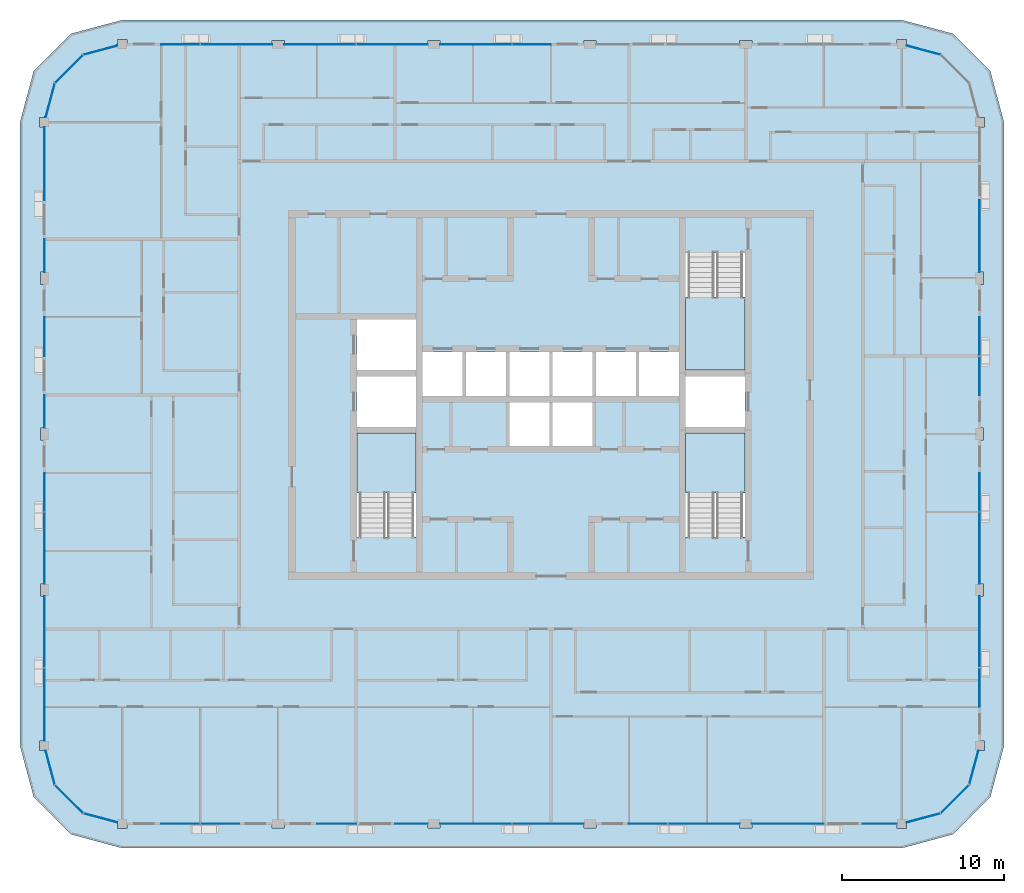
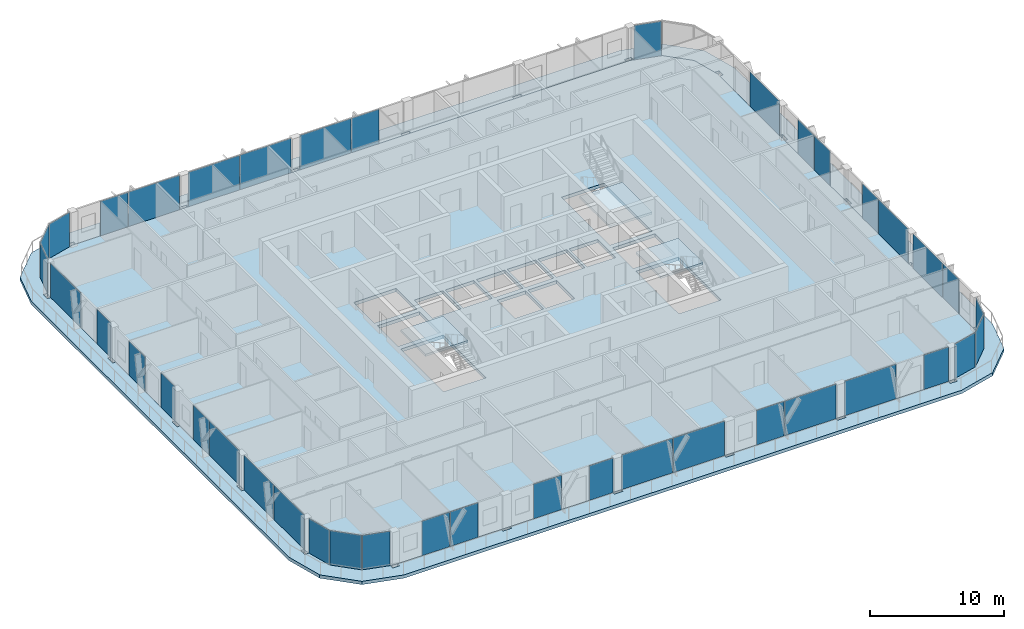
# One storey, part 7 of 21: 41 plates, 5 slabs, 23 elements without a shape of their own.
"""IFC4 building model written with IfcOpenShell, lengths in metres."""

from ifc_helpers import new_model, si_unit, direction, frame, origin, origin_2d, place, context, subcontext, project, spatial, polyline, rectangle, outline, extrude, material, layer, layer_set, type_object, element, aggregate, save


model = new_model("IFC4")

# Units and contexts
model_context = context("Model", 3, precision=1e-05, world=origin(), true_north=direction((0.0, 1.0)))
body_context = subcontext(model_context, "Body", "Model", "MODEL_VIEW")
ifc_project = project(units=[si_unit("LENGTHUNIT", "METRE"), si_unit("AREAUNIT", "SQUARE_METRE"), si_unit("VOLUMEUNIT", "CUBIC_METRE"), si_unit("PLANEANGLEUNIT", "RADIAN"), si_unit("MASSUNIT", "GRAM", prefix="KILO")], contexts=[model_context])

# Site, building, storey
site_placement = place(None, origin())
site = spatial("IfcSite", under=ifc_project, at=site_placement, CompositionType="ELEMENT")
building_placement = place(site_placement, origin())
building = spatial("IfcBuilding", under=site, at=building_placement, Name="Madar Terraces", CompositionType="ELEMENT")
storey_placement = place(building_placement, frame((0.0, 0.0, 268.60009765625)))
storey = spatial("IfcBuildingStorey", under=building, at=storey_placement, Name="L70", CompositionType="ELEMENT", Elevation=268.60009765625)

# Slabs
ifc_material_1 = material(Name="Concrete C50/60", Category="concrete")
ifc_layer_1 = layer(ifc_material_1, 0.300048828125)
ifc_layer_set_1 = layer_set([ifc_layer_1], Name="Balcony band 300")
slab_type_1 = type_object("IfcSlabType", Name="Balcony band 300", PredefinedType="FLOOR", material=ifc_layer_set_1)
slab_1_placement = place(storey_placement, frame((0.0, 0.0, -0.300048828125)))
element("IfcSlab", 1, at=slab_1_placement, inside=storey, type_object=slab_type_1, Name="Balcony band", PredefinedType="FLOOR", context=body_context, shape_type="SweptSolid", body=[
    extrude(outline(polyline([(4.800048828125, -1.5), (1.64990234375, -0.656005859375), (-0.656005859375, 1.64990234375), (-1.5, 4.800048828125), (-1.5, 43.199951171875), (-0.656005859375, 46.35009765625), (1.64990234375, 48.656005859375), (4.800048828125, 49.5), (52.800048828125, 49.5), (55.949951171875, 48.656005859375), (58.256103515625, 46.35009765625), (59.10009765625, 43.199951171875), (59.10009765625, 4.800048828125), (58.256103515625, 1.64990234375), (55.949951171875, -0.656005859375), (52.800048828125, -1.5), (4.800048828125, -1.5)]), holes=[polyline([(5.10009765625, -0.300048828125), (5.10009765625, 0.0), (14.02490234375, 0.0), (14.02490234375, -0.25), (14.77490234375, -0.25), (14.77490234375, 0.0), (23.625, 0.0), (23.625, -0.25), (24.375, -0.25), (24.375, 0.0), (33.22509765625, 0.0), (33.22509765625, -0.25), (33.97509765625, -0.25), (33.97509765625, 0.0), (42.824951171875, 0.0), (42.824951171875, -0.25), (43.574951171875, -0.25), (43.574951171875, 0.0), (52.5, 0.0), (52.5, -0.300048828125), (53.10009765625, -0.300048828125), (53.10009765625, 0.080322265625), (55.199951171875, 0.64306640625), (56.956787109375, 2.39990234375), (57.51953125, 4.5), (57.89990234375, 4.5), (57.89990234375, 5.10009765625), (57.60009765625, 5.10009765625), (57.60009765625, 14.02490234375), (57.85009765625, 14.02490234375), (57.85009765625, 14.77490234375), (57.60009765625, 14.77490234375), (57.60009765625, 23.625), (57.85009765625, 23.625), (57.85009765625, 24.375), (57.60009765625, 24.375), (57.60009765625, 33.22509765625), (57.85009765625, 33.22509765625), (57.85009765625, 33.97509765625), (57.60009765625, 33.97509765625), (57.60009765625, 42.89990234375), (57.89990234375, 42.89990234375), (57.89990234375, 43.5), (57.51953125, 43.5), (56.956787109375, 45.60009765625), (55.199951171875, 47.35693359375), (53.10009765625, 47.919677734375), (53.10009765625, 48.300048828125), (52.5, 48.300048828125), (52.5, 48.0), (43.574951171875, 48.0), (43.574951171875, 48.25), (42.824951171875, 48.25), (42.824951171875, 48.0), (33.97509765625, 48.0), (33.97509765625, 48.25), (33.22509765625, 48.25), (33.22509765625, 48.0), (24.375, 48.0), (24.375, 48.25), (23.625, 48.25), (23.625, 48.0), (14.77490234375, 48.0), (14.77490234375, 48.25), (14.02490234375, 48.25), (14.02490234375, 48.0), (5.10009765625, 48.0), (5.10009765625, 48.300048828125), (4.5, 48.300048828125), (4.5, 47.919677734375), (2.39990234375, 47.35693359375), (0.64306640625, 45.60009765625), (0.080322265625, 43.5), (-0.300048828125, 43.5), (-0.300048828125, 42.89990234375), (0.0, 42.89990234375), (0.0, 33.97509765625), (-0.25, 33.97509765625), (-0.25, 33.22509765625), (0.0, 33.22509765625), (0.0, 24.375), (-0.25, 24.375), (-0.25, 23.625), (0.0, 23.625), (0.0, 14.77490234375), (-0.25, 14.77490234375), (-0.25, 14.02490234375), (0.0, 14.02490234375), (0.0, 5.10009765625), (-0.300048828125, 5.10009765625), (-0.300048828125, 4.5), (0.080322265625, 4.5), (0.64306640625, 2.39990234375), (2.39990234375, 0.64306640625), (4.5, 0.080322265625), (4.5, -0.300048828125), (5.10009765625, -0.300048828125)])]), origin(), (0.0, 0.0, 1.0), 0.300048828125),
])
ifc_material_2 = material(Name="Concrete C50/60", Category="concrete")
ifc_layer_2 = layer(ifc_material_2, 0.300048828125)
ifc_layer_set_2 = layer_set([ifc_layer_2], Name="FS2 PT flat slab 300")
slab_type_2 = type_object("IfcSlabType", Name="FS2 PT flat slab 300", PredefinedType="FLOOR", material=ifc_layer_set_2)
slab_2_placement = place(storey_placement, frame((0.0, 0.0, -0.300048828125)))
element("IfcSlab", 2, at=slab_2_placement, inside=storey, type_object=slab_type_2, Name="Floor slab L70 (1)", PredefinedType="FLOOR", context=body_context, shape_type="SweptSolid", body=[
    extrude(outline(polyline([(52.800048828125, 0.0), (55.199951171875, 0.64306640625), (56.95703125, 2.39990234375), (57.60009765625, 4.800048828125), (57.60009765625, 43.199951171875), (56.95703125, 45.60009765625), (55.199951171875, 47.35693359375), (52.800048828125, 48.0), (4.800048828125, 48.0), (2.39990234375, 47.35693359375), (0.64306640625, 45.60009765625), (0.0, 43.199951171875), (0.0, 4.800048828125), (0.64306640625, 2.39990234375), (2.39990234375, 0.64306640625), (4.800048828125, 0.0), (52.800048828125, 0.0)]), holes=[polyline([(22.89990234375, 17.64990234375), (19.25, 17.64990234375), (19.25, 24.050048828125), (22.89990234375, 24.050048828125), (22.89990234375, 17.64990234375)]), polyline([(28.63330078125, 23.25), (28.63330078125, 25.949951171875), (31.10009765625, 25.949951171875), (31.10009765625, 23.25), (28.63330078125, 23.25)]), polyline([(19.25, 24.449951171875), (19.25, 27.550048828125), (22.89990234375, 27.550048828125), (22.89990234375, 24.449951171875), (19.25, 24.449951171875)]), polyline([(23.300048828125, 26.35009765625), (23.300048828125, 29.050048828125), (25.7666015625, 29.050048828125), (25.7666015625, 26.35009765625), (23.300048828125, 26.35009765625)]), polyline([(25.966552734375, 26.35009765625), (25.966552734375, 29.050048828125), (28.433349609375, 29.050048828125), (28.433349609375, 26.35009765625), (25.966552734375, 26.35009765625)]), polyline([(28.63330078125, 26.35009765625), (28.63330078125, 29.050048828125), (31.10009765625, 29.050048828125), (31.10009765625, 26.35009765625), (28.63330078125, 26.35009765625)]), polyline([(19.25, 27.949951171875), (19.25, 31.050048828125), (22.89990234375, 31.050048828125), (22.89990234375, 27.949951171875), (19.25, 27.949951171875)]), polyline([(43.14990234375, 17.64990234375), (39.5, 17.64990234375), (39.5, 24.050048828125), (43.14990234375, 24.050048828125), (43.14990234375, 17.64990234375)]), polyline([(31.300048828125, 23.25), (31.300048828125, 25.949951171875), (33.7666015625, 25.949951171875), (33.7666015625, 23.25), (31.300048828125, 23.25)]), polyline([(39.5, 24.449951171875), (39.5, 27.550048828125), (43.14990234375, 27.550048828125), (43.14990234375, 24.449951171875), (39.5, 24.449951171875)]), polyline([(31.300048828125, 26.35009765625), (31.300048828125, 29.050048828125), (33.7666015625, 29.050048828125), (33.7666015625, 26.35009765625), (31.300048828125, 26.35009765625)]), polyline([(33.966552734375, 26.35009765625), (33.966552734375, 29.050048828125), (36.433349609375, 29.050048828125), (36.433349609375, 26.35009765625), (33.966552734375, 26.35009765625)]), polyline([(36.63330078125, 26.35009765625), (36.63330078125, 29.050048828125), (39.10009765625, 29.050048828125), (39.10009765625, 26.35009765625), (36.63330078125, 26.35009765625)]), polyline([(39.5, 27.949951171875), (39.5, 35.14990234375), (43.14990234375, 35.14990234375), (43.14990234375, 27.949951171875), (39.5, 27.949951171875)])]), origin(), (0.0, 0.0, 1.0), 0.300048828125),
])

# Curtain wall, plates
ifc_material_3 = material(Name="Glass, ceramic frit dark grey, with black aluminium frame", Category="aluminium")
ifc_layer_3 = layer(ifc_material_3, 0.199951171875)
ifc_layer_set_3 = layer_set([ifc_layer_3], Name="Facade curtain wall, fritted glass")
curtain_wall_type = type_object("IfcCurtainWallType", Name="Facade curtain wall, fritted glass", PredefinedType="NOTDEFINED", material=ifc_layer_set_3)
curtain_wall_1_placement = place(storey_placement, origin())
curtain_wall_1 = element("IfcCurtainWall", 3, at=curtain_wall_1_placement, inside=storey, type_object=curtain_wall_type, Name="Outer skin curtain wall south bay 1", PredefinedType="NOTDEFINED")
ifc_material_4 = material(Name="Glass, ceramic frit dark grey", Category="glass")
ifc_layer_4 = layer(ifc_material_4, 0.028076171875)
ifc_layer_set_4 = layer_set([ifc_layer_4], Name="Facade glass panel 28")
plate_type = type_object("IfcPlateType", Name="Facade glass panel 28", PredefinedType="CURTAIN_PANEL", material=ifc_layer_set_4)
plate_1_placement = place(storey_placement, frame((8.385009765625, 0.0, 0.0), z_axis=(0.0, 0.0, 1.0), x_axis=(1.0, 0.0, 0.0)))
plate_1 = element("IfcPlate", 4, at=plate_1_placement, type_object=plate_type, Name="Panel 1", PredefinedType="CURTAIN_PANEL", context=body_context, shape_type="SweptSolid", body=[
    extrude(rectangle(XDim=2.3701171875, YDim=0.028076171875, at=origin_2d()), origin(), (0.0, 0.0, 1.0), 3.139892578125),
])
plate_2_placement = place(storey_placement, frame((10.81494140625, 0.0, 0.0), z_axis=(0.0, 0.0, 1.0), x_axis=(1.0, 0.0, 0.0)))
plate_2 = element("IfcPlate", 5, at=plate_2_placement, type_object=plate_type, Name="Panel 2", PredefinedType="CURTAIN_PANEL", context=body_context, shape_type="SweptSolid", body=[
    extrude(rectangle(XDim=2.3701171875, YDim=0.028076171875, at=origin_2d()), origin(), (0.0, 0.0, 1.0), 3.139892578125),
])
aggregate(curtain_wall_1, [plate_1, plate_2])

curtain_wall_2_placement = place(storey_placement, origin())
curtain_wall_2 = element("IfcCurtainWall", 6, at=curtain_wall_2_placement, inside=storey, type_object=curtain_wall_type, Name="Outer skin curtain wall south bay 2", PredefinedType="NOTDEFINED")
plate_3_placement = place(storey_placement, frame((18.0, 0.0, 0.0), z_axis=(0.0, 0.0, 1.0), x_axis=(1.0, 0.0, 0.0)))
plate_3 = element("IfcPlate", 7, at=plate_3_placement, type_object=plate_type, Name="Panel 1", PredefinedType="CURTAIN_PANEL", context=body_context, shape_type="SweptSolid", body=[
    extrude(rectangle(XDim=2.39990234375, YDim=0.028076171875, at=origin_2d()), origin(), (0.0, 0.0, 1.0), 3.139892578125),
])
plate_4_placement = place(storey_placement, frame((22.612548828125, 0.0, 0.0), z_axis=(0.0, 0.0, 1.0), x_axis=(1.0, 0.0, 0.0)))
plate_4 = element("IfcPlate", 8, at=plate_4_placement, type_object=plate_type, Name="Panel 2", PredefinedType="CURTAIN_PANEL", context=body_context, shape_type="SweptSolid", body=[
    extrude(rectangle(XDim=2.02490234375, YDim=0.028076171875, at=origin_2d()), origin(), (0.0, 0.0, 1.0), 3.139892578125),
])
aggregate(curtain_wall_2, [plate_3, plate_4])

curtain_wall_3_placement = place(storey_placement, origin())
curtain_wall_3 = element("IfcCurtainWall", 9, at=curtain_wall_3_placement, inside=storey, type_object=curtain_wall_type, Name="Outer skin curtain wall south bay 3", PredefinedType="NOTDEFINED")
plate_5_placement = place(storey_placement, frame((26.572509765625, 0.0, 0.0), z_axis=(0.0, 0.0, 1.0), x_axis=(1.0, 0.0, 0.0)))
plate_5 = element("IfcPlate", 10, at=plate_5_placement, type_object=plate_type, Name="Panel 1", PredefinedType="CURTAIN_PANEL", context=body_context, shape_type="SweptSolid", body=[
    extrude(rectangle(XDim=4.39501953125, YDim=0.028076171875, at=origin_2d()), origin(), (0.0, 0.0, 1.0), 3.139892578125),
])
plate_6_placement = place(storey_placement, frame((31.027587890625, 0.0, 0.0), z_axis=(0.0, 0.0, 1.0), x_axis=(1.0, 0.0, 0.0)))
plate_6 = element("IfcPlate", 11, at=plate_6_placement, type_object=plate_type, Name="Panel 2", PredefinedType="CURTAIN_PANEL", context=body_context, shape_type="SweptSolid", body=[
    extrude(rectangle(XDim=4.39501953125, YDim=0.028076171875, at=origin_2d()), origin(), (0.0, 0.0, 1.0), 3.139892578125),
])
aggregate(curtain_wall_3, [plate_5, plate_6])

curtain_wall_4_placement = place(storey_placement, origin())
curtain_wall_4 = element("IfcCurtainWall", 12, at=curtain_wall_4_placement, inside=storey, type_object=curtain_wall_type, Name="Outer skin curtain wall south bay 4", PredefinedType="NOTDEFINED")
plate_7_placement = place(storey_placement, frame((37.18505859375, 0.0, 0.0), z_axis=(0.0, 0.0, 1.0), x_axis=(1.0, 0.0, 0.0)))
plate_7 = element("IfcPlate", 13, at=plate_7_placement, type_object=plate_type, Name="Panel 1", PredefinedType="CURTAIN_PANEL", context=body_context, shape_type="SweptSolid", body=[
    extrude(rectangle(XDim=2.3701171875, YDim=0.028076171875, at=origin_2d()), origin(), (0.0, 0.0, 1.0), 3.139892578125),
])
plate_8_placement = place(storey_placement, frame((40.62744140625, 0.0, 0.0), z_axis=(0.0, 0.0, 1.0), x_axis=(1.0, 0.0, 0.0)))
plate_8 = element("IfcPlate", 14, at=plate_8_placement, type_object=plate_type, Name="Panel 2", PredefinedType="CURTAIN_PANEL", context=body_context, shape_type="SweptSolid", body=[
    extrude(rectangle(XDim=4.39501953125, YDim=0.028076171875, at=origin_2d()), origin(), (0.0, 0.0, 1.0), 3.139892578125),
])
aggregate(curtain_wall_4, [plate_7, plate_8])

curtain_wall_5_placement = place(storey_placement, origin())
curtain_wall_5 = element("IfcCurtainWall", 15, at=curtain_wall_5_placement, inside=storey, type_object=curtain_wall_type, Name="Outer skin curtain wall south bay 5", PredefinedType="NOTDEFINED")
plate_9_placement = place(storey_placement, frame((45.78759765625, 0.0, 0.0), z_axis=(0.0, 0.0, 1.0), x_axis=(1.0, 0.0, 0.0)))
plate_9 = element("IfcPlate", 16, at=plate_9_placement, type_object=plate_type, Name="Panel 1", PredefinedType="CURTAIN_PANEL", context=body_context, shape_type="SweptSolid", body=[
    extrude(rectangle(XDim=4.425048828125, YDim=0.028076171875, at=origin_2d()), origin(), (0.0, 0.0, 1.0), 3.139892578125),
])
plate_10_placement = place(storey_placement, frame((51.449951171875, 0.0, 0.0), z_axis=(0.0, 0.0, 1.0), x_axis=(1.0, 0.0, 0.0)))
plate_10 = element("IfcPlate", 17, at=plate_10_placement, type_object=plate_type, Name="Panel 2", PredefinedType="CURTAIN_PANEL", context=body_context, shape_type="SweptSolid", body=[
    extrude(rectangle(XDim=2.10009765625, YDim=0.028076171875, at=origin_2d()), origin(), (0.0, 0.0, 1.0), 3.139892578125),
])
aggregate(curtain_wall_5, [plate_9, plate_10])

curtain_wall_6_placement = place(storey_placement, origin())
curtain_wall_6 = element("IfcCurtainWall", 18, at=curtain_wall_6_placement, inside=storey, type_object=curtain_wall_type, Name="Outer skin curtain wall east bay 1", PredefinedType="NOTDEFINED")
plate_11_placement = place(storey_placement, frame((57.60009765625, 8.385009765625, 0.0), z_axis=(0.0, 0.0, 1.0), x_axis=(0.0, 1.0, 0.0)))
plate_11 = element("IfcPlate", 19, at=plate_11_placement, type_object=plate_type, Name="Panel 1", PredefinedType="CURTAIN_PANEL", context=body_context, shape_type="SweptSolid", body=[
    extrude(rectangle(XDim=2.3701171875, YDim=0.028076171875, at=origin_2d()), origin(), (0.0, 0.0, 1.0), 3.139892578125),
])
plate_12_placement = place(storey_placement, frame((57.60009765625, 11.827392578125, 0.0), z_axis=(0.0, 0.0, 1.0), x_axis=(0.0, 1.0, 0.0)))
plate_12 = element("IfcPlate", 20, at=plate_12_placement, type_object=plate_type, Name="Panel 2", PredefinedType="CURTAIN_PANEL", context=body_context, shape_type="SweptSolid", body=[
    extrude(rectangle(XDim=4.39501953125, YDim=0.028076171875, at=origin_2d()), origin(), (0.0, 0.0, 1.0), 3.139892578125),
])
aggregate(curtain_wall_6, [plate_11, plate_12])

curtain_wall_7_placement = place(storey_placement, origin())
curtain_wall_7 = element("IfcCurtainWall", 21, at=curtain_wall_7_placement, inside=storey, type_object=curtain_wall_type, Name="Outer skin curtain wall east bay 2", PredefinedType="NOTDEFINED")
plate_13_placement = place(storey_placement, frame((57.60009765625, 16.972412109375, 0.0), z_axis=(0.0, 0.0, 1.0), x_axis=(0.0, 1.0, 0.0)))
plate_13 = element("IfcPlate", 22, at=plate_13_placement, type_object=plate_type, Name="Panel 1", PredefinedType="CURTAIN_PANEL", context=body_context, shape_type="SweptSolid", body=[
    extrude(rectangle(XDim=4.39501953125, YDim=0.028076171875, at=origin_2d()), origin(), (0.0, 0.0, 1.0), 3.139892578125),
])
plate_14_placement = place(storey_placement, frame((57.60009765625, 20.4150390625, 0.0), z_axis=(0.0, 0.0, 1.0), x_axis=(0.0, 1.0, 0.0)))
plate_14 = element("IfcPlate", 23, at=plate_14_placement, type_object=plate_type, Name="Panel 2", PredefinedType="CURTAIN_PANEL", context=body_context, shape_type="SweptSolid", body=[
    extrude(rectangle(XDim=2.3701171875, YDim=0.028076171875, at=origin_2d()), origin(), (0.0, 0.0, 1.0), 3.139892578125),
])
aggregate(curtain_wall_7, [plate_13, plate_14])

curtain_wall_8_placement = place(storey_placement, origin())
curtain_wall_8 = element("IfcCurtainWall", 24, at=curtain_wall_8_placement, inside=storey, type_object=curtain_wall_type, Name="Outer skin curtain wall east bay 3", PredefinedType="NOTDEFINED")
plate_15_placement = place(storey_placement, frame((57.60009765625, 27.5849609375, 0.0), z_axis=(0.0, 0.0, 1.0), x_axis=(0.0, 1.0, 0.0)))
plate_15 = element("IfcPlate", 25, at=plate_15_placement, type_object=plate_type, Name="Panel 1", PredefinedType="CURTAIN_PANEL", context=body_context, shape_type="SweptSolid", body=[
    extrude(rectangle(XDim=2.3701171875, YDim=0.028076171875, at=origin_2d()), origin(), (0.0, 0.0, 1.0), 3.139892578125),
])
plate_16_placement = place(storey_placement, frame((57.60009765625, 30.014892578125, 0.0), z_axis=(0.0, 0.0, 1.0), x_axis=(0.0, 1.0, 0.0)))
plate_16 = element("IfcPlate", 26, at=plate_16_placement, type_object=plate_type, Name="Panel 2", PredefinedType="CURTAIN_PANEL", context=body_context, shape_type="SweptSolid", body=[
    extrude(rectangle(XDim=2.3701171875, YDim=0.028076171875, at=origin_2d()), origin(), (0.0, 0.0, 1.0), 3.139892578125),
])
aggregate(curtain_wall_8, [plate_15, plate_16])

# Curtain wall, plate
curtain_wall_9_placement = place(storey_placement, origin())
curtain_wall_9 = element("IfcCurtainWall", 27, at=curtain_wall_9_placement, inside=storey, type_object=curtain_wall_type, Name="Outer skin curtain wall east bay 4", PredefinedType="NOTDEFINED")
plate_17_placement = place(storey_placement, frame((57.60009765625, 36.1875, 0.0), z_axis=(0.0, 0.0, 1.0), x_axis=(0.0, 1.0, 0.0)))
plate_17 = element("IfcPlate", 28, at=plate_17_placement, type_object=plate_type, Name="Panel 1", PredefinedType="CURTAIN_PANEL", context=body_context, shape_type="SweptSolid", body=[
    extrude(rectangle(XDim=4.425048828125, YDim=0.028076171875, at=origin_2d()), origin(), (0.0, 0.0, 1.0), 3.139892578125),
])
aggregate(curtain_wall_9, [plate_17])

# Curtain wall, plates
curtain_wall_10_placement = place(storey_placement, origin())
curtain_wall_10 = element("IfcCurtainWall", 29, at=curtain_wall_10_placement, inside=storey, type_object=curtain_wall_type, Name="Outer skin curtain wall north bay 3", PredefinedType="NOTDEFINED")
plate_18_placement = place(storey_placement, frame((30.014892578125, 48.0, 0.0), z_axis=(0.0, 0.0, 1.0), x_axis=(-1.0, 0.0, 0.0)))
plate_18 = element("IfcPlate", 30, at=plate_18_placement, type_object=plate_type, Name="Panel 1", PredefinedType="CURTAIN_PANEL", context=body_context, shape_type="SweptSolid", body=[
    extrude(rectangle(XDim=2.3701171875, YDim=0.028076171875, at=origin_2d()), origin(), (0.0, 0.0, 1.0), 3.139892578125),
])
plate_19_placement = place(storey_placement, frame((26.572509765625, 48.0, 0.0), z_axis=(0.0, 0.0, 1.0), x_axis=(-1.0, 0.0, 0.0)))
plate_19 = element("IfcPlate", 31, at=plate_19_placement, type_object=plate_type, Name="Panel 2", PredefinedType="CURTAIN_PANEL", context=body_context, shape_type="SweptSolid", body=[
    extrude(rectangle(XDim=4.39501953125, YDim=0.028076171875, at=origin_2d()), origin(), (0.0, 0.0, 1.0), 3.139892578125),
])
aggregate(curtain_wall_10, [plate_18, plate_19])

curtain_wall_11_placement = place(storey_placement, origin())
curtain_wall_11 = element("IfcCurtainWall", 32, at=curtain_wall_11_placement, inside=storey, type_object=curtain_wall_type, Name="Outer skin curtain wall north bay 4", PredefinedType="NOTDEFINED")
plate_20_placement = place(storey_placement, frame((21.427490234375, 48.0, 0.0), z_axis=(0.0, 0.0, 1.0), x_axis=(-1.0, 0.0, 0.0)))
plate_20 = element("IfcPlate", 33, at=plate_20_placement, type_object=plate_type, Name="Panel 1", PredefinedType="CURTAIN_PANEL", context=body_context, shape_type="SweptSolid", body=[
    extrude(rectangle(XDim=4.39501953125, YDim=0.028076171875, at=origin_2d()), origin(), (0.0, 0.0, 1.0), 3.139892578125),
])
plate_21_placement = place(storey_placement, frame((16.972412109375, 48.0, 0.0), z_axis=(0.0, 0.0, 1.0), x_axis=(-1.0, 0.0, 0.0)))
plate_21 = element("IfcPlate", 34, at=plate_21_placement, type_object=plate_type, Name="Panel 2", PredefinedType="CURTAIN_PANEL", context=body_context, shape_type="SweptSolid", body=[
    extrude(rectangle(XDim=4.39501953125, YDim=0.028076171875, at=origin_2d()), origin(), (0.0, 0.0, 1.0), 3.139892578125),
])
aggregate(curtain_wall_11, [plate_20, plate_21])

curtain_wall_12_placement = place(storey_placement, origin())
curtain_wall_12 = element("IfcCurtainWall", 35, at=curtain_wall_12_placement, inside=storey, type_object=curtain_wall_type, Name="Outer skin curtain wall north bay 5", PredefinedType="NOTDEFINED")
plate_22_placement = place(storey_placement, frame((11.827392578125, 48.0, 0.0), z_axis=(0.0, 0.0, 1.0), x_axis=(-1.0, 0.0, 0.0)))
plate_22 = element("IfcPlate", 36, at=plate_22_placement, type_object=plate_type, Name="Panel 1", PredefinedType="CURTAIN_PANEL", context=body_context, shape_type="SweptSolid", body=[
    extrude(rectangle(XDim=4.39501953125, YDim=0.028076171875, at=origin_2d()), origin(), (0.0, 0.0, 1.0), 3.139892578125),
])
plate_23_placement = place(storey_placement, frame((8.385009765625, 48.0, 0.0), z_axis=(0.0, 0.0, 1.0), x_axis=(-1.0, 0.0, 0.0)))
plate_23 = element("IfcPlate", 37, at=plate_23_placement, type_object=plate_type, Name="Panel 2", PredefinedType="CURTAIN_PANEL", context=body_context, shape_type="SweptSolid", body=[
    extrude(rectangle(XDim=2.3701171875, YDim=0.028076171875, at=origin_2d()), origin(), (0.0, 0.0, 1.0), 3.139892578125),
])
aggregate(curtain_wall_12, [plate_22, plate_23])

curtain_wall_13_placement = place(storey_placement, origin())
curtain_wall_13 = element("IfcCurtainWall", 38, at=curtain_wall_13_placement, inside=storey, type_object=curtain_wall_type, Name="Outer skin curtain wall west bay 1", PredefinedType="NOTDEFINED")
plate_24_placement = place(storey_placement, frame((0.0, 40.64990234375, 0.0), z_axis=(0.0, 0.0, 1.0), x_axis=(0.0, -1.0, 0.0)))
plate_24 = element("IfcPlate", 39, at=plate_24_placement, type_object=plate_type, Name="Panel 1", PredefinedType="CURTAIN_PANEL", context=body_context, shape_type="SweptSolid", body=[
    extrude(rectangle(XDim=4.5, YDim=0.028076171875, at=origin_2d()), origin(), (0.0, 0.0, 1.0), 3.139892578125),
])
plate_25_placement = place(storey_placement, frame((0.0, 34.987548828125, 0.0), z_axis=(0.0, 0.0, 1.0), x_axis=(0.0, -1.0, 0.0)))
plate_25 = element("IfcPlate", 40, at=plate_25_placement, type_object=plate_type, Name="Panel 2", PredefinedType="CURTAIN_PANEL", context=body_context, shape_type="SweptSolid", body=[
    extrude(rectangle(XDim=2.02490234375, YDim=0.028076171875, at=origin_2d()), origin(), (0.0, 0.0, 1.0), 3.139892578125),
])
aggregate(curtain_wall_13, [plate_24, plate_25])

curtain_wall_14_placement = place(storey_placement, origin())
curtain_wall_14 = element("IfcCurtainWall", 41, at=curtain_wall_14_placement, inside=storey, type_object=curtain_wall_type, Name="Outer skin curtain wall west bay 2", PredefinedType="NOTDEFINED")
plate_26_placement = place(storey_placement, frame((0.0, 30.0, 0.0), z_axis=(0.0, 0.0, 1.0), x_axis=(0.0, -1.0, 0.0)))
plate_26 = element("IfcPlate", 42, at=plate_26_placement, type_object=plate_type, Name="Panel 1", PredefinedType="CURTAIN_PANEL", context=body_context, shape_type="SweptSolid", body=[
    extrude(rectangle(XDim=2.39990234375, YDim=0.028076171875, at=origin_2d()), origin(), (0.0, 0.0, 1.0), 3.139892578125),
])
plate_27_placement = place(storey_placement, frame((0.0, 25.387451171875, 0.0), z_axis=(0.0, 0.0, 1.0), x_axis=(0.0, -1.0, 0.0)))
plate_27 = element("IfcPlate", 43, at=plate_27_placement, type_object=plate_type, Name="Panel 2", PredefinedType="CURTAIN_PANEL", context=body_context, shape_type="SweptSolid", body=[
    extrude(rectangle(XDim=2.02490234375, YDim=0.028076171875, at=origin_2d()), origin(), (0.0, 0.0, 1.0), 3.139892578125),
])
aggregate(curtain_wall_14, [plate_26, plate_27])

curtain_wall_15_placement = place(storey_placement, origin())
curtain_wall_15 = element("IfcCurtainWall", 44, at=curtain_wall_15_placement, inside=storey, type_object=curtain_wall_type, Name="Outer skin curtain wall west bay 3", PredefinedType="NOTDEFINED")
plate_28_placement = place(storey_placement, frame((0.0, 20.4150390625, 0.0), z_axis=(0.0, 0.0, 1.0), x_axis=(0.0, -1.0, 0.0)))
plate_28 = element("IfcPlate", 45, at=plate_28_placement, type_object=plate_type, Name="Panel 1", PredefinedType="CURTAIN_PANEL", context=body_context, shape_type="SweptSolid", body=[
    extrude(rectangle(XDim=2.3701171875, YDim=0.028076171875, at=origin_2d()), origin(), (0.0, 0.0, 1.0), 3.139892578125),
])
plate_29_placement = place(storey_placement, frame((0.0, 16.972412109375, 0.0), z_axis=(0.0, 0.0, 1.0), x_axis=(0.0, -1.0, 0.0)))
plate_29 = element("IfcPlate", 46, at=plate_29_placement, type_object=plate_type, Name="Panel 2", PredefinedType="CURTAIN_PANEL", context=body_context, shape_type="SweptSolid", body=[
    extrude(rectangle(XDim=4.39501953125, YDim=0.028076171875, at=origin_2d()), origin(), (0.0, 0.0, 1.0), 3.139892578125),
])
aggregate(curtain_wall_15, [plate_28, plate_29])

curtain_wall_16_placement = place(storey_placement, origin())
curtain_wall_16 = element("IfcCurtainWall", 47, at=curtain_wall_16_placement, inside=storey, type_object=curtain_wall_type, Name="Outer skin curtain wall west bay 4", PredefinedType="NOTDEFINED")
plate_30_placement = place(storey_placement, frame((0.0, 11.827392578125, 0.0), z_axis=(0.0, 0.0, 1.0), x_axis=(0.0, -1.0, 0.0)))
plate_30 = element("IfcPlate", 48, at=plate_30_placement, type_object=plate_type, Name="Panel 1", PredefinedType="CURTAIN_PANEL", context=body_context, shape_type="SweptSolid", body=[
    extrude(rectangle(XDim=4.39501953125, YDim=0.028076171875, at=origin_2d()), origin(), (0.0, 0.0, 1.0), 3.139892578125),
])
plate_31_placement = place(storey_placement, frame((0.0, 7.3349609375, 0.0), z_axis=(0.0, 0.0, 1.0), x_axis=(0.0, -1.0, 0.0)))
plate_31 = element("IfcPlate", 49, at=plate_31_placement, type_object=plate_type, Name="Panel 2", PredefinedType="CURTAIN_PANEL", context=body_context, shape_type="SweptSolid", body=[
    extrude(rectangle(XDim=4.469970703125, YDim=0.028076171875, at=origin_2d()), origin(), (0.0, 0.0, 1.0), 3.139892578125),
])
aggregate(curtain_wall_16, [plate_30, plate_31])

curtain_wall_17_placement = place(storey_placement, origin())
curtain_wall_17 = element("IfcCurtainWall", 50, at=curtain_wall_17_placement, inside=storey, type_object=curtain_wall_type, Name="Outer skin curtain wall south-east corner", PredefinedType="NOTDEFINED")
plate_32_placement = place(storey_placement, frame((54.135498046875, 0.35791015625, 0.0), z_axis=(0.0, 0.0, 1.0), x_axis=(0.965925832509, 0.258819021888, 0.0)))
plate_32 = element("IfcPlate", 51, at=plate_32_placement, type_object=plate_type, Name="Panel 1", PredefinedType="CURTAIN_PANEL", context=body_context, shape_type="SweptSolid", body=[
    extrude(rectangle(XDim=2.14404296875, YDim=0.028076171875, at=origin_2d()), origin(), (0.0, 0.0, 1.0), 3.139892578125),
])
plate_33_placement = place(storey_placement, frame((56.078369140625, 1.521484375, 0.0), z_axis=(0.0, 0.0, 1.0), x_axis=(0.707106781187, 0.707106781187, 0.0)))
plate_33 = element("IfcPlate", 52, at=plate_33_placement, type_object=plate_type, Name="Panel 2", PredefinedType="CURTAIN_PANEL", context=body_context, shape_type="SweptSolid", body=[
    extrude(rectangle(XDim=2.424560546875, YDim=0.028076171875, at=origin_2d()), origin(), (0.0, 0.0, 1.0), 3.139892578125),
])
plate_34_placement = place(storey_placement, frame((57.2421875, 3.464599609375, 0.0), z_axis=(0.0, 0.0, 1.0), x_axis=(0.258819021888, 0.965925832509, 0.0)))
plate_34 = element("IfcPlate", 53, at=plate_34_placement, type_object=plate_type, Name="Panel 3", PredefinedType="CURTAIN_PANEL", context=body_context, shape_type="SweptSolid", body=[
    extrude(rectangle(XDim=2.14404296875, YDim=0.028076171875, at=origin_2d()), origin(), (0.0, 0.0, 1.0), 3.139892578125),
])
aggregate(curtain_wall_17, [plate_32, plate_33, plate_34])

# Curtain wall, plate
curtain_wall_18_placement = place(storey_placement, origin())
curtain_wall_18 = element("IfcCurtainWall", 54, at=curtain_wall_18_placement, inside=storey, type_object=curtain_wall_type, Name="Outer skin curtain wall north-east corner", PredefinedType="NOTDEFINED")
plate_35_placement = place(storey_placement, frame((54.135498046875, 47.64208984375, 0.0), z_axis=(0.0, 0.0, 1.0), x_axis=(-0.965925832509, 0.258819021888, 0.0)))
plate_35 = element("IfcPlate", 55, at=plate_35_placement, type_object=plate_type, Name="Panel 3", PredefinedType="CURTAIN_PANEL", context=body_context, shape_type="SweptSolid", body=[
    extrude(rectangle(XDim=2.14404296875, YDim=0.028076171875, at=origin_2d()), origin(), (0.0, 0.0, 1.0), 3.139892578125),
])
aggregate(curtain_wall_18, [plate_35])

# Curtain wall, plates
curtain_wall_19_placement = place(storey_placement, origin())
curtain_wall_19 = element("IfcCurtainWall", 56, at=curtain_wall_19_placement, inside=storey, type_object=curtain_wall_type, Name="Outer skin curtain wall north-west corner", PredefinedType="NOTDEFINED")
plate_36_placement = place(storey_placement, frame((3.464599609375, 47.64208984375, 0.0), z_axis=(0.0, 0.0, 1.0), x_axis=(-0.965925832509, -0.258819021888, 0.0)))
plate_36 = element("IfcPlate", 57, at=plate_36_placement, type_object=plate_type, Name="Panel 1", PredefinedType="CURTAIN_PANEL", context=body_context, shape_type="SweptSolid", body=[
    extrude(rectangle(XDim=2.14404296875, YDim=0.028076171875, at=origin_2d()), origin(), (0.0, 0.0, 1.0), 3.139892578125),
])
plate_37_placement = place(storey_placement, frame((1.521484375, 46.478515625, 0.0), z_axis=(0.0, 0.0, 1.0), x_axis=(-0.707106781187, -0.707106781187, 0.0)))
plate_37 = element("IfcPlate", 58, at=plate_37_placement, type_object=plate_type, Name="Panel 2", PredefinedType="CURTAIN_PANEL", context=body_context, shape_type="SweptSolid", body=[
    extrude(rectangle(XDim=2.424560546875, YDim=0.028076171875, at=origin_2d()), origin(), (0.0, 0.0, 1.0), 3.139892578125),
])
plate_38_placement = place(storey_placement, frame((0.35791015625, 44.535400390625, 0.0), z_axis=(0.0, 0.0, 1.0), x_axis=(-0.258819021888, -0.965925832509, 0.0)))
plate_38 = element("IfcPlate", 59, at=plate_38_placement, type_object=plate_type, Name="Panel 3", PredefinedType="CURTAIN_PANEL", context=body_context, shape_type="SweptSolid", body=[
    extrude(rectangle(XDim=2.14404296875, YDim=0.028076171875, at=origin_2d()), origin(), (0.0, 0.0, 1.0), 3.139892578125),
])
aggregate(curtain_wall_19, [plate_36, plate_37, plate_38])

curtain_wall_20_placement = place(storey_placement, origin())
curtain_wall_20 = element("IfcCurtainWall", 60, at=curtain_wall_20_placement, inside=storey, type_object=curtain_wall_type, Name="Outer skin curtain wall south-west corner", PredefinedType="NOTDEFINED")
plate_39_placement = place(storey_placement, frame((0.35791015625, 3.464599609375, 0.0), z_axis=(0.0, 0.0, 1.0), x_axis=(0.258819021888, -0.965925832509, 0.0)))
plate_39 = element("IfcPlate", 61, at=plate_39_placement, type_object=plate_type, Name="Panel 1", PredefinedType="CURTAIN_PANEL", context=body_context, shape_type="SweptSolid", body=[
    extrude(rectangle(XDim=2.14404296875, YDim=0.028076171875, at=origin_2d()), origin(), (0.0, 0.0, 1.0), 3.139892578125),
])
plate_40_placement = place(storey_placement, frame((1.521484375, 1.521484375, 0.0), z_axis=(0.0, 0.0, 1.0), x_axis=(0.707106781187, -0.707106781187, 0.0)))
plate_40 = element("IfcPlate", 62, at=plate_40_placement, type_object=plate_type, Name="Panel 2", PredefinedType="CURTAIN_PANEL", context=body_context, shape_type="SweptSolid", body=[
    extrude(rectangle(XDim=2.424560546875, YDim=0.028076171875, at=origin_2d()), origin(), (0.0, 0.0, 1.0), 3.139892578125),
])
plate_41_placement = place(storey_placement, frame((3.464599609375, 0.35791015625, 0.0), z_axis=(0.0, 0.0, 1.0), x_axis=(0.965925832509, -0.258819021888, 0.0)))
plate_41 = element("IfcPlate", 63, at=plate_41_placement, type_object=plate_type, Name="Panel 3", PredefinedType="CURTAIN_PANEL", context=body_context, shape_type="SweptSolid", body=[
    extrude(rectangle(XDim=2.14404296875, YDim=0.028076171875, at=origin_2d()), origin(), (0.0, 0.0, 1.0), 3.139892578125),
])
aggregate(curtain_wall_20, [plate_39, plate_40, plate_41])

# Stair, slab
ifc_material_5 = material(Name="Concrete C50/60", Category="concrete")
stair_type_1 = type_object("IfcStairType", Name="Stair ST1 protected exit", PredefinedType="HALF_TURN_STAIR", material=ifc_material_5)
stair_1_placement = place(storey_placement, origin())
stair_1 = element("IfcStair", 64, at=stair_1_placement, inside=storey, type_object=stair_type_1, Name="L70 Protected Exit Stair ST1", PredefinedType="HALF_TURN_STAIR")
ifc_material_6 = material(Name="Concrete C50/60", Category="concrete")
ifc_layer_5 = layer(ifc_material_6, 0.199951171875)
ifc_layer_set_5 = layer_set([ifc_layer_5], Name="Stair landing 200, top +1.75")
slab_type_3 = type_object("IfcSlabType", Name="Stair landing 200, top +1.75", PredefinedType="LANDING", material=ifc_layer_set_5)
slab_3_placement = place(storey_placement, frame((0.0, 0.0, 1.5498046875)))
slab_3 = element("IfcSlab", 65, at=slab_3_placement, type_object=slab_type_3, Name="ST1 landing 1", PredefinedType="LANDING", context=body_context, shape_type="SweptSolid", body=[
    extrude(outline(polyline([(19.25, 20.360107421875), (22.89990234375, 20.360107421875), (22.89990234375, 24.050048828125), (19.25, 24.050048828125), (19.25, 20.360107421875)])), origin(), (0.0, 0.0, 1.0), 0.2001953125),
])
aggregate(stair_1, [slab_3])

ifc_material_7 = material(Name="Concrete C50/60", Category="concrete")
stair_type_2 = type_object("IfcStairType", Name="Stair ST2 protected exit", PredefinedType="HALF_TURN_STAIR", material=ifc_material_7)
stair_2_placement = place(storey_placement, origin())
stair_2 = element("IfcStair", 66, at=stair_2_placement, inside=storey, type_object=stair_type_2, Name="L70 Protected Exit Stair ST2", PredefinedType="HALF_TURN_STAIR")
slab_4_placement = place(storey_placement, frame((0.0, 0.0, 1.5498046875)))
slab_4 = element("IfcSlab", 67, at=slab_4_placement, type_object=slab_type_3, Name="ST2 landing 1", PredefinedType="LANDING", context=body_context, shape_type="SweptSolid", body=[
    extrude(outline(polyline([(39.5, 27.949951171875), (43.14990234375, 27.949951171875), (43.14990234375, 32.43994140625), (39.5, 32.43994140625), (39.5, 27.949951171875)])), origin(), (0.0, 0.0, 1.0), 0.2001953125),
])
aggregate(stair_2, [slab_4])

ifc_material_8 = material(Name="Concrete C50/60", Category="concrete")
stair_type_3 = type_object("IfcStairType", Name="Stair ST3 protected exit", PredefinedType="HALF_TURN_STAIR", material=ifc_material_8)
stair_3_placement = place(storey_placement, origin())
stair_3 = element("IfcStair", 68, at=stair_3_placement, inside=storey, type_object=stair_type_3, Name="L70 Protected Exit Stair ST3", PredefinedType="HALF_TURN_STAIR")
slab_5_placement = place(storey_placement, frame((0.0, 0.0, 1.5498046875)))
slab_5 = element("IfcSlab", 69, at=slab_5_placement, type_object=slab_type_3, Name="ST3 landing 1", PredefinedType="LANDING", context=body_context, shape_type="SweptSolid", body=[
    extrude(outline(polyline([(39.5, 20.360107421875), (43.14990234375, 20.360107421875), (43.14990234375, 24.050048828125), (39.5, 24.050048828125), (39.5, 20.360107421875)])), origin(), (0.0, 0.0, 1.0), 0.2001953125),
])
aggregate(stair_3, [slab_5])

save(model, "model.ifc")
